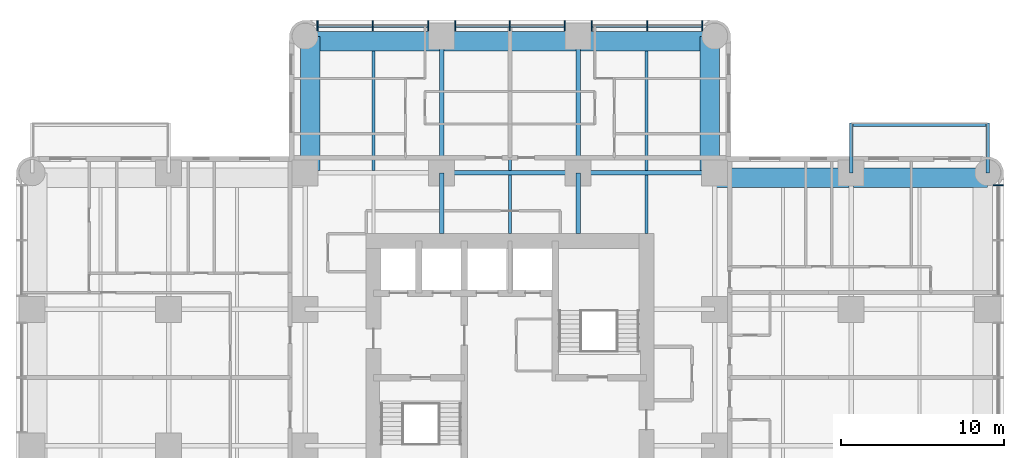
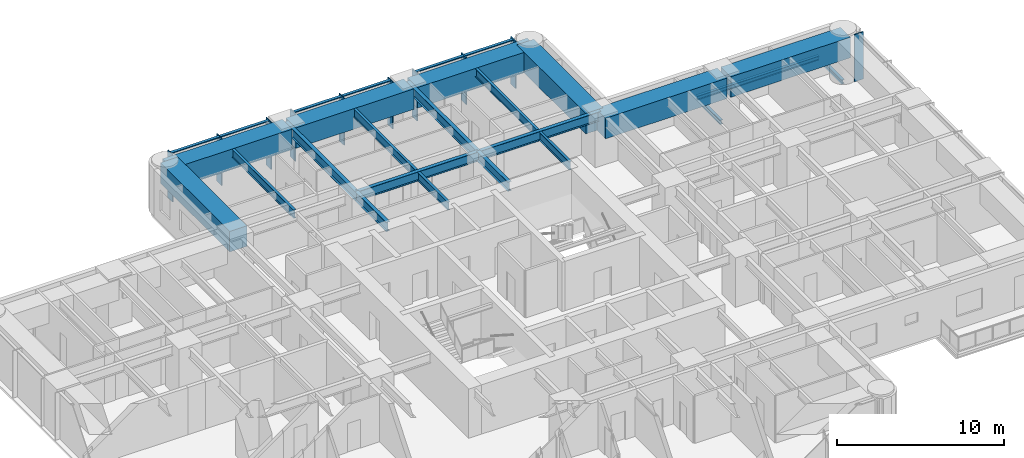
# One storey, part 4 of 14: 21 beams, 16 members, 2 elements without a shape of their own.
"""IFC4 building model written with IfcOpenShell, lengths in metres."""

from ifc_helpers import new_model, si_unit, direction, frame, origin, origin_2d, place, context, subcontext, project, spatial, rectangle, i_section, extrude, material, material_profile, profile_set, type_object, element, aggregate, save


model = new_model("IFC4")

# Units and contexts
model_context = context("Model", 3, precision=1e-05, world=origin(), true_north=direction((0.0, 1.0)))
body_context = subcontext(model_context, "Body", "Model", "MODEL_VIEW")
ifc_project = project(units=[si_unit("LENGTHUNIT", "METRE"), si_unit("AREAUNIT", "SQUARE_METRE"), si_unit("VOLUMEUNIT", "CUBIC_METRE"), si_unit("PLANEANGLEUNIT", "RADIAN"), si_unit("MASSUNIT", "GRAM", prefix="KILO")], contexts=[model_context])

# Site, building, storey
site_placement = place(None, origin())
site = spatial("IfcSite", under=ifc_project, at=site_placement, CompositionType="ELEMENT")
building_placement = place(site_placement, origin())
building = spatial("IfcBuilding", under=site, at=building_placement, Name="Torre Alcanfor", CompositionType="ELEMENT")
storey_placement = place(building_placement, frame((0.0, 0.0, 159.300048828125)))
storey = spatial("IfcBuildingStorey", under=building, at=storey_placement, Name="L41", CompositionType="ELEMENT", Elevation=159.300048828125)

# Beams
ifc_material_1 = material(Name="Steel ASTM A992 Grade 50", Category="steel")
ifc_material_profile_1 = material_profile(ifc_material_1, i_section(OverallWidth=0.205322265625, OverallDepth=0.309814453125, WebThickness=0.00927734375, FlangeThickness=0.016357421875, at=origin_2d()), Name="W12x50")
ifc_profile_set_1 = profile_set([ifc_material_profile_1], Name="Steel ASTM A992 Grade 50")
beam_type_1 = type_object("IfcBeamType", Name="Balcony cantilever beam W12x50", PredefinedType="BEAM", material=ifc_profile_set_1)
for number, where, z_axis, x_axis, name in (
    (1, (50.39990234375, 42.0, -0.35498046875), (0.0, 1.0, 0.0), (-1.0, 0.0, 0.0), "Balcony cantilever beam L41-E1 1"),
    (2, (58.800048828125, 42.0, -0.35498046875), (0.0, 1.0, 0.0), (-1.0, 0.0, 0.0), "Balcony cantilever beam L41-E1 2"),
):
    element("IfcBeam", number, at=place(storey_placement, frame(where, z_axis=z_axis, x_axis=x_axis)), inside=storey, type_object=beam_type_1, Name=name, PredefinedType="BEAM", context=body_context, shape_type="SweptSolid", body=[
        extrude(i_section(OverallWidth=0.205322265625, OverallDepth=0.309814453125, WebThickness=0.00927734375, FlangeThickness=0.016357421875, at=origin_2d()), origin(), (0.0, 0.0, 1.0), 3.050048828125),
    ])
ifc_material_2 = material(Name="Steel ASTM A992 Grade 50", Category="steel")
ifc_material_profile_2 = material_profile(ifc_material_2, i_section(OverallWidth=0.203369140625, OverallDepth=0.30224609375, WebThickness=0.007568359375, FlangeThickness=0.01318359375, at=origin_2d()), Name="W12x40")
ifc_profile_set_2 = profile_set([ifc_material_profile_2], Name="Steel ASTM A992 Grade 50")
beam_type_2 = type_object("IfcBeamType", Name="Balcony edge trimmer W12x40", PredefinedType="BEAM", material=ifc_profile_set_2)
beam_1_placement = place(storey_placement, frame((50.39990234375, 44.9482421875, -0.35107421875), z_axis=(1.0, 0.0, 0.0), x_axis=(0.0, 1.0, 0.0)))
element("IfcBeam", 3, at=beam_1_placement, inside=storey, type_object=beam_type_2, Name="Balcony edge trimmer L41-E1", PredefinedType="BEAM", context=body_context, shape_type="SweptSolid", body=[
    extrude(i_section(OverallWidth=0.203369140625, OverallDepth=0.30224609375, WebThickness=0.007568359375, FlangeThickness=0.01318359375, at=origin_2d()), origin(), (0.0, 0.0, 1.0), 8.400146484375),
])

# Curtain wall, member
ifc_material_3 = material(Name="Aluminium and glass", Category="aluminium")
curtain_wall_type = type_object("IfcCurtainWallType", Name="CW-A unitised apartment glazing with vertical FIN", PredefinedType="NOTDEFINED", material=ifc_material_3)
curtain_wall_1_placement = place(storey_placement, origin())
curtain_wall_1 = element("IfcCurtainWall", 4, at=curtain_wall_1_placement, inside=storey, type_object=curtain_wall_type, Name="Curtain wall CW-A L41 8", PredefinedType="NOTDEFINED")
ifc_material_4 = material(Name="Bronze anodised aluminium", Category="aluminium")
ifc_material_profile_3 = material_profile(ifc_material_4, rectangle(XDim=0.60009765625, YDim=0.06494140625, at=origin_2d()), Name="CW-A mullion 65x600")
ifc_profile_set_3 = profile_set([ifc_material_profile_3], Name="Bronze anodised aluminium")
member_type_1 = type_object("IfcMemberType", Name="CW-A mullion with vertical FIN 65x600", PredefinedType="MULLION", material=ifc_profile_set_3)
member_1_placement = place(storey_placement, frame((59.449951171875, 41.24267578125, 0.0), z_axis=(0.0, 0.0, 1.0), x_axis=(-1.0, 0.0, 0.0)))
member_1 = element("IfcMember", 5, at=member_1_placement, type_object=member_type_1, Name="CW-A mullion 3.3", PredefinedType="MULLION", context=body_context, shape_type="SweptSolid", body=[
    extrude(rectangle(XDim=0.60009765625, YDim=0.06494140625, at=origin_2d()), origin(), (0.0, 0.0, 1.0), 3.449951171875),
])
aggregate(curtain_wall_1, [member_1])

# Curtain wall, members
curtain_wall_2_placement = place(storey_placement, origin())
curtain_wall_2 = element("IfcCurtainWall", 6, at=curtain_wall_2_placement, inside=storey, type_object=curtain_wall_type, Name="Curtain wall CW-A L41 11", PredefinedType="NOTDEFINED")
member_2_placement = place(storey_placement, frame((41.24267578125, 51.050048828125, 0.0), z_axis=(0.0, 0.0, 1.0), x_axis=(0.0, -1.0, 0.0)))
member_2 = element("IfcMember", 7, at=member_2_placement, type_object=member_type_1, Name="CW-A mullion 1.1", PredefinedType="MULLION", context=body_context, shape_type="SweptSolid", body=[
    extrude(rectangle(XDim=0.60009765625, YDim=0.06494140625, at=origin_2d()), origin(), (0.0, 0.0, 1.0), 3.449951171875),
])
member_3_placement = place(storey_placement, frame((37.840087890625, 51.050048828125, 0.0), z_axis=(0.0, 0.0, 1.0), x_axis=(0.0, -1.0, 0.0)))
member_3 = element("IfcMember", 8, at=member_3_placement, type_object=member_type_1, Name="CW-A mullion 1.2", PredefinedType="MULLION", context=body_context, shape_type="SweptSolid", body=[
    extrude(rectangle(XDim=0.60009765625, YDim=0.06494140625, at=origin_2d()), origin(), (0.0, 0.0, 1.0), 3.449951171875),
])
member_4_placement = place(storey_placement, frame((34.4375, 51.050048828125, 0.0), z_axis=(0.0, 0.0, 1.0), x_axis=(0.0, -1.0, 0.0)))
member_4 = element("IfcMember", 9, at=member_4_placement, type_object=member_type_1, Name="CW-A mullion 1.3", PredefinedType="MULLION", context=body_context, shape_type="SweptSolid", body=[
    extrude(rectangle(XDim=0.60009765625, YDim=0.06494140625, at=origin_2d()), origin(), (0.0, 0.0, 1.0), 3.449951171875),
])
member_5_placement = place(storey_placement, frame((32.762451171875, 51.050048828125, 0.0), z_axis=(0.0, 0.0, 1.0), x_axis=(0.0, -1.0, 0.0)))
member_5 = element("IfcMember", 10, at=member_5_placement, type_object=member_type_1, Name="CW-A mullion 2.1", PredefinedType="MULLION", context=body_context, shape_type="SweptSolid", body=[
    extrude(rectangle(XDim=0.60009765625, YDim=0.06494140625, at=origin_2d()), origin(), (0.0, 0.0, 1.0), 3.449951171875),
])
member_6_placement = place(storey_placement, frame((29.39990234375, 51.050048828125, 0.0), z_axis=(0.0, 0.0, 1.0), x_axis=(0.0, -1.0, 0.0)))
member_6 = element("IfcMember", 11, at=member_6_placement, type_object=member_type_1, Name="CW-A mullion 2.2", PredefinedType="MULLION", context=body_context, shape_type="SweptSolid", body=[
    extrude(rectangle(XDim=0.60009765625, YDim=0.06494140625, at=origin_2d()), origin(), (0.0, 0.0, 1.0), 3.449951171875),
])
member_7_placement = place(storey_placement, frame((26.03759765625, 51.050048828125, 0.0), z_axis=(0.0, 0.0, 1.0), x_axis=(0.0, -1.0, 0.0)))
member_7 = element("IfcMember", 12, at=member_7_placement, type_object=member_type_1, Name="CW-A mullion 2.3", PredefinedType="MULLION", context=body_context, shape_type="SweptSolid", body=[
    extrude(rectangle(XDim=0.60009765625, YDim=0.06494140625, at=origin_2d()), origin(), (0.0, 0.0, 1.0), 3.449951171875),
])
member_8_placement = place(storey_placement, frame((24.362548828125, 51.050048828125, 0.0), z_axis=(0.0, 0.0, 1.0), x_axis=(0.0, -1.0, 0.0)))
member_8 = element("IfcMember", 13, at=member_8_placement, type_object=member_type_1, Name="CW-A mullion 3.1", PredefinedType="MULLION", context=body_context, shape_type="SweptSolid", body=[
    extrude(rectangle(XDim=0.60009765625, YDim=0.06494140625, at=origin_2d()), origin(), (0.0, 0.0, 1.0), 3.449951171875),
])
member_9_placement = place(storey_placement, frame((20.9599609375, 51.050048828125, 0.0), z_axis=(0.0, 0.0, 1.0), x_axis=(0.0, -1.0, 0.0)))
member_9 = element("IfcMember", 14, at=member_9_placement, type_object=member_type_1, Name="CW-A mullion 3.2", PredefinedType="MULLION", context=body_context, shape_type="SweptSolid", body=[
    extrude(rectangle(XDim=0.60009765625, YDim=0.06494140625, at=origin_2d()), origin(), (0.0, 0.0, 1.0), 3.449951171875),
])
member_10_placement = place(storey_placement, frame((17.557373046875, 51.050048828125, 0.0), z_axis=(0.0, 0.0, 1.0), x_axis=(0.0, -1.0, 0.0)))
member_10 = element("IfcMember", 15, at=member_10_placement, type_object=member_type_1, Name="CW-A mullion 3.3", PredefinedType="MULLION", context=body_context, shape_type="SweptSolid", body=[
    extrude(rectangle(XDim=0.60009765625, YDim=0.06494140625, at=origin_2d()), origin(), (0.0, 0.0, 1.0), 3.449951171875),
])
ifc_material_5 = material(Name="Extruded aluminium", Category="aluminium")
ifc_material_profile_4 = material_profile(ifc_material_5, rectangle(XDim=0.199951171875, YDim=0.06494140625, at=origin_2d()), Name="CW-A transom 200x65")
ifc_profile_set_4 = profile_set([ifc_material_profile_4], Name="Extruded aluminium")
member_type_2 = type_object("IfcMemberType", Name="CW-A transom 65x200", PredefinedType="USERDEFINED", material=ifc_profile_set_4)
member_11_placement = place(storey_placement, frame((41.210205078125, 51.050048828125, 3.41748046875), z_axis=(-1.0, 0.0, 0.0), x_axis=(0.0, -1.0, 0.0)))
member_11 = element("IfcMember", 16, at=member_11_placement, type_object=member_type_2, Name="CW-A transom 1.1.2", ObjectType="TRANSOM", PredefinedType="USERDEFINED", context=body_context, shape_type="SweptSolid", body=[
    extrude(rectangle(XDim=0.199951171875, YDim=0.06494140625, at=origin_2d()), origin(), (0.0, 0.0, 1.0), 3.337646484375),
])
member_12_placement = place(storey_placement, frame((37.8076171875, 51.050048828125, 3.41748046875), z_axis=(-1.0, 0.0, 0.0), x_axis=(0.0, -1.0, 0.0)))
member_12 = element("IfcMember", 17, at=member_12_placement, type_object=member_type_2, Name="CW-A transom 1.2.2", ObjectType="TRANSOM", PredefinedType="USERDEFINED", context=body_context, shape_type="SweptSolid", body=[
    extrude(rectangle(XDim=0.199951171875, YDim=0.06494140625, at=origin_2d()), origin(), (0.0, 0.0, 1.0), 3.337646484375),
])
member_13_placement = place(storey_placement, frame((32.72998046875, 51.050048828125, 3.41748046875), z_axis=(-1.0, 0.0, 0.0), x_axis=(0.0, -1.0, 0.0)))
member_13 = element("IfcMember", 18, at=member_13_placement, type_object=member_type_2, Name="CW-A transom 2.1.2", ObjectType="TRANSOM", PredefinedType="USERDEFINED", context=body_context, shape_type="SweptSolid", body=[
    extrude(rectangle(XDim=0.199951171875, YDim=0.06494140625, at=origin_2d()), origin(), (0.0, 0.0, 1.0), 3.29736328125),
])
member_14_placement = place(storey_placement, frame((29.367431640625, 51.050048828125, 3.41748046875), z_axis=(-1.0, 0.0, 0.0), x_axis=(0.0, -1.0, 0.0)))
member_14 = element("IfcMember", 19, at=member_14_placement, type_object=member_type_2, Name="CW-A transom 2.2.2", ObjectType="TRANSOM", PredefinedType="USERDEFINED", context=body_context, shape_type="SweptSolid", body=[
    extrude(rectangle(XDim=0.199951171875, YDim=0.06494140625, at=origin_2d()), origin(), (0.0, 0.0, 1.0), 3.29736328125),
])
member_15_placement = place(storey_placement, frame((24.330078125, 51.050048828125, 3.41748046875), z_axis=(-1.0, 0.0, 0.0), x_axis=(0.0, -1.0, 0.0)))
member_15 = element("IfcMember", 20, at=member_15_placement, type_object=member_type_2, Name="CW-A transom 3.1.2", ObjectType="TRANSOM", PredefinedType="USERDEFINED", context=body_context, shape_type="SweptSolid", body=[
    extrude(rectangle(XDim=0.199951171875, YDim=0.06494140625, at=origin_2d()), origin(), (0.0, 0.0, 1.0), 3.337646484375),
])
member_16_placement = place(storey_placement, frame((20.927490234375, 51.050048828125, 3.41748046875), z_axis=(-1.0, 0.0, 0.0), x_axis=(0.0, -1.0, 0.0)))
member_16 = element("IfcMember", 21, at=member_16_placement, type_object=member_type_2, Name="CW-A transom 3.2.2", ObjectType="TRANSOM", PredefinedType="USERDEFINED", context=body_context, shape_type="SweptSolid", body=[
    extrude(rectangle(XDim=0.199951171875, YDim=0.06494140625, at=origin_2d()), origin(), (0.0, 0.0, 1.0), 3.337646484375),
])
aggregate(curtain_wall_2, [member_2, member_3, member_4, member_11, member_12, member_5, member_6, member_7, member_13, member_14, member_8, member_9, member_10, member_15, member_16])

# Beams
ifc_material_6 = material(Name="Steel ASTM A992 Grade 50", Category="steel")
ifc_material_profile_5 = material_profile(ifc_material_6, i_section(OverallWidth=0.25390625, OverallDepth=0.683349609375, WebThickness=0.012451171875, FlangeThickness=0.01904296875, at=origin_2d()), Name="W27x94")
ifc_profile_set_5 = profile_set([ifc_material_profile_5], Name="Steel ASTM A992 Grade 50")
beam_type_3 = type_object("IfcBeamType", Name="Girder W27x94", PredefinedType="BEAM", material=ifc_profile_set_5)
beam_2_placement = place(storey_placement, frame((25.199951171875, 42.0, 3.1083984375), z_axis=(1.0, 0.0, 0.0), x_axis=(0.0, 1.0, 0.0)))
element("IfcBeam", 22, at=beam_2_placement, inside=storey, type_object=beam_type_3, Name="Beam 4H-5H under L42", PredefinedType="BEAM", context=body_context, shape_type="SweptSolid", body=[
    extrude(i_section(OverallWidth=0.25390625, OverallDepth=0.683349609375, WebThickness=0.012451171875, FlangeThickness=0.01904296875, at=origin_2d()), origin(), (0.0, 0.0, 1.0), 8.400146484375),
])
for number, where, z_axis, x_axis, name in (
    (23, (33.60009765625, 42.0, 3.1083984375), (1.0, 0.0, 0.0), (0.0, 1.0, 0.0), "Beam 5H-6H under L42"),
    (24, (25.199951171875, 42.0, 3.1083984375), (0.0, 1.0, 0.0), (-1.0, 0.0, 0.0), "Beam 4H-4J under L42"),
    (25, (33.60009765625, 42.0, 3.1083984375), (0.0, 1.0, 0.0), (-1.0, 0.0, 0.0), "Beam 5H-5J under L42"),
):
    element("IfcBeam", number, at=place(storey_placement, frame(where, z_axis=z_axis, x_axis=x_axis)), inside=storey, type_object=beam_type_3, Name=name, PredefinedType="BEAM", context=body_context, shape_type="SweptSolid", body=[
        extrude(i_section(OverallWidth=0.25390625, OverallDepth=0.683349609375, WebThickness=0.012451171875, FlangeThickness=0.01904296875, at=origin_2d()), origin(), (0.0, 0.0, 1.0), 8.39990234375),
    ])
ifc_material_7 = material(Name="Steel ASTM A992 Grade 50", Category="steel")
ifc_material_profile_6 = material_profile(ifc_material_7, i_section(OverallWidth=0.25390625, OverallDepth=0.683349609375, WebThickness=0.012451171875, FlangeThickness=0.01904296875, at=origin_2d()), Name="W27x94")
ifc_profile_set_6 = profile_set([ifc_material_profile_6], Name="Steel ASTM A992 Grade 50")
beam_type_4 = type_object("IfcBeamType", Name="Girder, part bay W27x94", PredefinedType="BEAM", material=ifc_profile_set_6)
for number, where, z_axis, x_axis, name in (
    (26, (25.199951171875, 42.0, 3.1083984375), (0.0, -1.0, 0.0), (1.0, 0.0, 0.0), "Beam 4H-438_25 under L42"),
    (27, (33.60009765625, 42.0, 3.1083984375), (0.0, -1.0, 0.0), (1.0, 0.0, 0.0), "Beam 5H-538_25 under L42"),
):
    element("IfcBeam", number, at=place(storey_placement, frame(where, z_axis=z_axis, x_axis=x_axis)), inside=storey, type_object=beam_type_4, Name=name, PredefinedType="BEAM", context=body_context, shape_type="SweptSolid", body=[
        extrude(i_section(OverallWidth=0.25390625, OverallDepth=0.683349609375, WebThickness=0.012451171875, FlangeThickness=0.01904296875, at=origin_2d()), origin(), (0.0, 0.0, 1.0), 3.75),
    ])
ifc_material_8 = material(Name="Concrete f'c 70 MPa", Category="concrete")
ifc_material_profile_7 = material_profile(ifc_material_8, rectangle(XDim=1.199951171875, YDim=1.5, at=origin_2d()), Name="1200x1500")
ifc_profile_set_7 = profile_set([ifc_material_profile_7], Name="Concrete f'c 70 MPa")
beam_type_5 = type_object("IfcBeamType", Name="RC perimeter beam 1200x1500", PredefinedType="BEAM", material=ifc_profile_set_7)
beam_3_placement = place(storey_placement, frame((41.873046875, 41.699951171875, 2.699951171875), z_axis=(1.0, 0.0, 0.0), x_axis=(0.0, 1.0, 0.0)))
element("IfcBeam", 28, at=beam_3_placement, inside=storey, type_object=beam_type_5, Name="Beam 6H-7H under L42", PredefinedType="BEAM", context=body_context, shape_type="SweptSolid", body=[
    extrude(rectangle(XDim=1.199951171875, YDim=1.5, at=origin_2d()), origin(), (0.0, 0.0, 1.0), 8.39990234375),
])
for number, where, z_axis, x_axis, name in (
    (29, (50.527099609375, 41.699951171875, 2.699951171875), (1.0, 0.0, 0.0), (0.0, 1.0, 0.0), "Beam 7H-8H under L42"),
    (30, (16.800048828125, 50.10009765625, 2.699951171875), (1.0, 0.0, 0.0), (0.0, 1.0, 0.0), "Beam 3J-4J under L42"),
):
    element("IfcBeam", number, at=place(storey_placement, frame(where, z_axis=z_axis, x_axis=x_axis)), inside=storey, type_object=beam_type_5, Name=name, PredefinedType="BEAM", context=body_context, shape_type="SweptSolid", body=[
        extrude(rectangle(XDim=1.199951171875, YDim=1.5, at=origin_2d()), origin(), (0.0, 0.0, 1.0), 8.27294921875),
    ])
beam_4_placement = place(storey_placement, frame((25.326904296875, 50.10009765625, 2.699951171875), z_axis=(1.0, 0.0, 0.0), x_axis=(0.0, 1.0, 0.0)))
element("IfcBeam", 31, at=beam_4_placement, inside=storey, type_object=beam_type_5, Name="Beam 4J-5J under L42", PredefinedType="BEAM", context=body_context, shape_type="SweptSolid", body=[
    extrude(rectangle(XDim=1.199951171875, YDim=1.5, at=origin_2d()), origin(), (0.0, 0.0, 1.0), 8.14599609375),
])
for number, where, z_axis, x_axis, name in (
    (32, (33.72705078125, 50.10009765625, 2.699951171875), (1.0, 0.0, 0.0), (0.0, 1.0, 0.0), "Beam 5J-6J under L42"),
    (33, (17.10009765625, 42.126953125, 2.699951171875), (0.0, 1.0, 0.0), (-1.0, 0.0, 0.0), "Beam 3H-3J under L42"),
    (34, (41.699951171875, 42.126953125, 2.699951171875), (0.0, 1.0, 0.0), (-1.0, 0.0, 0.0), "Beam 6H-6J under L42"),
):
    element("IfcBeam", number, at=place(storey_placement, frame(where, z_axis=z_axis, x_axis=x_axis)), inside=storey, type_object=beam_type_5, Name=name, PredefinedType="BEAM", context=body_context, shape_type="SweptSolid", body=[
        extrude(rectangle(XDim=1.199951171875, YDim=1.5, at=origin_2d()), origin(), (0.0, 0.0, 1.0), 8.27294921875),
    ])
ifc_material_9 = material(Name="Steel ASTM A992 Grade 50", Category="steel")
ifc_material_profile_8 = material_profile(ifc_material_9, i_section(OverallWidth=0.1787109375, OverallDepth=0.60205078125, WebThickness=0.010986328125, FlangeThickness=0.014892578125, at=origin_2d()), Name="W24x62")
ifc_profile_set_8 = profile_set([ifc_material_profile_8], Name="Steel ASTM A992 Grade 50")
beam_type_6 = type_object("IfcBeamType", Name="Secondary beam W24x62", PredefinedType="BEAM", material=ifc_profile_set_8)
for number, where, z_axis, x_axis, name in (
    (35, (21.0, 42.126953125, 3.14892578125), (0.0, 1.0, 0.0), (-1.0, 0.0, 0.0), "Beam 21H-21J under L42"),
    (36, (29.39990234375, 42.126953125, 3.14892578125), (0.0, 1.0, 0.0), (-1.0, 0.0, 0.0), "Beam 29_4H-29_4J under L42"),
    (37, (37.800048828125, 42.126953125, 3.14892578125), (0.0, 1.0, 0.0), (-1.0, 0.0, 0.0), "Beam 37_8H-37_8J under L42"),
):
    element("IfcBeam", number, at=place(storey_placement, frame(where, z_axis=z_axis, x_axis=x_axis)), inside=storey, type_object=beam_type_6, Name=name, PredefinedType="BEAM", context=body_context, shape_type="SweptSolid", body=[
        extrude(i_section(OverallWidth=0.1787109375, OverallDepth=0.60205078125, WebThickness=0.010986328125, FlangeThickness=0.014892578125, at=origin_2d()), origin(), (0.0, 0.0, 1.0), 7.373046875),
    ])
ifc_material_10 = material(Name="Steel ASTM A992 Grade 50", Category="steel")
ifc_material_profile_9 = material_profile(ifc_material_10, i_section(OverallWidth=0.1787109375, OverallDepth=0.60205078125, WebThickness=0.010986328125, FlangeThickness=0.014892578125, at=origin_2d()), Name="W24x62")
ifc_profile_set_9 = profile_set([ifc_material_profile_9], Name="Steel ASTM A992 Grade 50")
beam_type_7 = type_object("IfcBeamType", Name="Secondary beam, part bay W24x62", PredefinedType="BEAM", material=ifc_profile_set_9)
for number, where, z_axis, x_axis, name in (
    (38, (29.39990234375, 38.25, 3.14892578125), (0.0, 1.0, 0.0), (-1.0, 0.0, 0.0), "Beam 29_438_25-29_4H under L42"),
    (39, (37.800048828125, 38.25, 3.14892578125), (0.0, 1.0, 0.0), (-1.0, 0.0, 0.0), "Beam 37_838_25-37_8H under L42"),
):
    element("IfcBeam", number, at=place(storey_placement, frame(where, z_axis=z_axis, x_axis=x_axis)), inside=storey, type_object=beam_type_7, Name=name, PredefinedType="BEAM", context=body_context, shape_type="SweptSolid", body=[
        extrude(i_section(OverallWidth=0.1787109375, OverallDepth=0.60205078125, WebThickness=0.010986328125, FlangeThickness=0.014892578125, at=origin_2d()), origin(), (0.0, 0.0, 1.0), 3.623046875),
    ])

save(model, "model.ifc")
